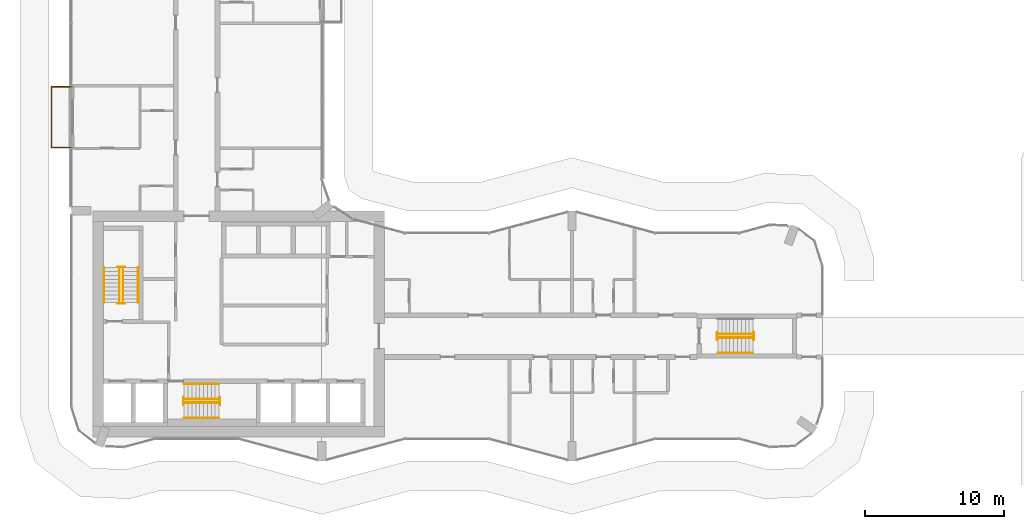
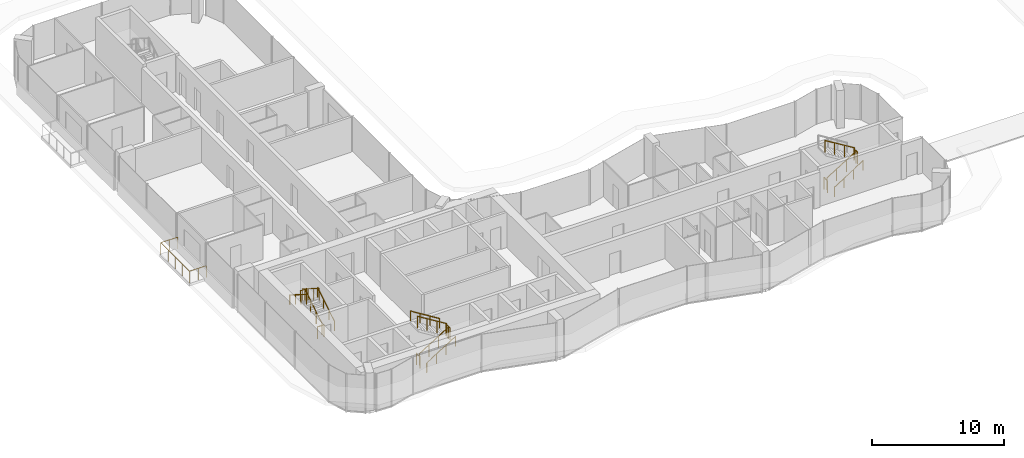
# One storey, part 21 of 24: 18 railings.
"""IFC4 building model written with IfcOpenShell, lengths in metres."""

from ifc_helpers import new_model, si_unit, direction, frame, origin, origin_2d, place, context, subcontext, project, spatial, circle, extrude, material, type_object, element, save


model = new_model("IFC4")

# Units and contexts
model_context = context("Model", 3, precision=1e-05, world=origin(), true_north=direction((0.0, 1.0)))
body_context = subcontext(model_context, "Body", "Model", "MODEL_VIEW")
ifc_project = project(units=[si_unit("LENGTHUNIT", "METRE"), si_unit("AREAUNIT", "SQUARE_METRE"), si_unit("VOLUMEUNIT", "CUBIC_METRE"), si_unit("PLANEANGLEUNIT", "RADIAN"), si_unit("MASSUNIT", "GRAM", prefix="KILO")], contexts=[model_context])

# Site, building, storey
site_placement = place(None, origin())
site = spatial("IfcSite", under=ifc_project, at=site_placement, CompositionType="ELEMENT")
building_placement = place(site_placement, origin())
building = spatial("IfcBuilding", under=site, at=building_placement, Name="Plateau Cross Towers", CompositionType="ELEMENT")
storey_placement = place(building_placement, frame((0.0, 0.0, 30.300048828125)))
storey = spatial("IfcBuildingStorey", under=building, at=storey_placement, Name="L06", CompositionType="ELEMENT", Elevation=30.300048828125)

# Railings
ifc_material_1 = material(Name="Stainless steel and toughened glass", Category="steel")
railing_type_1 = type_object("IfcRailingType", Name="Glass balustrade guard 1100", PredefinedType="GUARDRAIL", material=ifc_material_1)
railing_1_placement = place(storey_placement, frame((0.050048828125, 22.570068359375, 0.0)))
element("IfcRailing", 1, at=railing_1_placement, inside=storey, type_object=railing_type_1, Name="Guard guard1", PredefinedType="GUARDRAIL", context=body_context, shape_type="SweptSolid", body=[
    extrude(circle(Radius=0.02392578125, at=origin_2d()), frame((0.0, 0.0, 1.076171875), z_axis=(-1.0, 0.0, 0.0), x_axis=(0.0, -1.0, 0.0)), (0.0, 0.0, 1.0), 1.47998046875),
    extrude(circle(Radius=0.02392578125, at=origin_2d()), frame((-1.47998046875, 0.0, 1.076171875), z_axis=(0.0, 1.0, 0.0), x_axis=(-1.0, 0.0, 0.0)), (0.0, 0.0, 1.0), 4.35986328125),
    extrude(circle(Radius=0.02392578125, at=origin_2d()), frame((-1.47998046875, 4.35986328125, 1.076171875), z_axis=(1.0, 0.0, 0.0), x_axis=(0.0, 1.0, 0.0)), (0.0, 0.0, 1.0), 1.47998046875),
    extrude(circle(Radius=0.02099609375, at=origin_2d()), origin(), (0.0, 0.0, 1.0), 1.052001953125),
    extrude(circle(Radius=0.02099609375, at=origin_2d()), frame((-0.739990234375, 0.0, 0.0)), (0.0, 0.0, 1.0), 1.052001953125),
    extrude(circle(Radius=0.02099609375, at=origin_2d()), frame((-1.47998046875, 0.0, 0.0)), (0.0, 0.0, 1.0), 1.052001953125),
    extrude(circle(Radius=0.02099609375, at=origin_2d()), frame((-1.47998046875, 1.08984375, 0.0)), (0.0, 0.0, 1.0), 1.052001953125),
    extrude(circle(Radius=0.02099609375, at=origin_2d()), frame((-1.47998046875, 2.179931640625, 0.0)), (0.0, 0.0, 1.0), 1.052001953125),
    extrude(circle(Radius=0.02099609375, at=origin_2d()), frame((-1.47998046875, 3.27001953125, 0.0)), (0.0, 0.0, 1.0), 1.052001953125),
    extrude(circle(Radius=0.02099609375, at=origin_2d()), frame((-1.47998046875, 4.35986328125, 0.0)), (0.0, 0.0, 1.0), 1.052001953125),
    extrude(circle(Radius=0.02099609375, at=origin_2d()), frame((-0.739990234375, 4.35986328125, 0.0)), (0.0, 0.0, 1.0), 1.052001953125),
    extrude(circle(Radius=0.02099609375, at=origin_2d()), frame((0.0, 4.35986328125, 0.0)), (0.0, 0.0, 1.0), 1.052001953125),
])
railing_type_2 = type_object("IfcRailingType", Name="RL-GUARD-1100", PredefinedType="GUARDRAIL", material=ifc_material_1)
railing_2_placement = place(storey_placement, frame((3.699951171875, 11.39990234375, 0.175048828125)))
element("IfcRailing", 2, at=railing_2_placement, inside=storey, type_object=railing_type_2, Name="L06 ST-1 stair guard 1", PredefinedType="GUARDRAIL", context=body_context, shape_type="SweptSolid", body=[
    extrude(circle(Radius=0.02392578125, at=origin_2d()), frame((0.0, 0.0, 1.076171875), z_axis=(0.0, 0.848007534815, 0.529984170421), x_axis=(-1.0, 0.0, 0.0)), (0.0, 0.0, 1.0), 2.9716796875),
    extrude(circle(Radius=0.02099609375, at=origin_2d()), origin(), (0.0, 0.0, 1.0), 1.052001953125),
    extrude(circle(Radius=0.02099609375, at=origin_2d()), frame((0.0, 0.840087890625, 0.52490234375)), (0.0, 0.0, 1.0), 1.052001953125),
    extrude(circle(Radius=0.02099609375, at=origin_2d()), frame((0.0, 1.679931640625, 1.050048828125)), (0.0, 0.0, 1.0), 1.052001953125),
    extrude(circle(Radius=0.02099609375, at=origin_2d()), frame((0.0, 2.52001953125, 1.574951171875)), (0.0, 0.0, 1.0), 1.052001953125),
])
railing_3_placement = place(storey_placement, frame((3.85009765625, 13.969970703125, 1.75)))
element("IfcRailing", 3, at=railing_3_placement, inside=storey, type_object=railing_type_2, Name="L06 ST-1 stair guard 2", PredefinedType="GUARDRAIL", context=body_context, shape_type="SweptSolid", body=[
    extrude(circle(Radius=0.02392578125, at=origin_2d()), frame((0.0, 0.0, 1.076171875), z_axis=(-1.0, 0.0, 0.0), x_axis=(0.0, -1.0, 0.0)), (0.0, 0.0, 1.0), 0.550048828125),
    extrude(circle(Radius=0.02099609375, at=origin_2d()), origin(), (0.0, 0.0, 1.0), 1.052001953125),
    extrude(circle(Radius=0.02099609375, at=origin_2d()), frame((-0.550048828125, 0.0, 0.0)), (0.0, 0.0, 1.0), 1.052001953125),
])
railing_4_placement = place(storey_placement, frame((3.449951171875, 13.919921875, 1.925048828125)))
element("IfcRailing", 4, at=railing_4_placement, inside=storey, type_object=railing_type_2, Name="L06 ST-1 stair guard 3", PredefinedType="GUARDRAIL", context=body_context, shape_type="SweptSolid", body=[
    extrude(circle(Radius=0.02392578125, at=origin_2d()), frame((0.0, 0.0, 1.076171875), z_axis=(0.0, -0.852616386126, 0.522537365276), x_axis=(1.0, 0.0, 0.0)), (0.0, 0.0, 1.0), 3.01416015625),
    extrude(circle(Radius=0.02099609375, at=origin_2d()), origin(), (0.0, 0.0, 1.0), 1.052001953125),
    extrude(circle(Radius=0.02099609375, at=origin_2d()), frame((0.0, -0.856689453125, 0.52490234375)), (0.0, 0.0, 1.0), 1.052001953125),
    extrude(circle(Radius=0.02099609375, at=origin_2d()), frame((0.0, -1.713134765625, 1.050048828125)), (0.0, 0.0, 1.0), 1.052001953125),
    extrude(circle(Radius=0.02099609375, at=origin_2d()), frame((0.0, -2.56982421875, 1.574951171875)), (0.0, 0.0, 1.0), 1.052001953125),
])
railing_5_placement = place(storey_placement, frame((3.85009765625, 11.35009765625, 0.0)))
element("IfcRailing", 5, at=railing_5_placement, inside=storey, type_object=railing_type_2, Name="L06 ST-1 stair guard 4", PredefinedType="GUARDRAIL", context=body_context, shape_type="SweptSolid", body=[
    extrude(circle(Radius=0.02392578125, at=origin_2d()), frame((0.0, 0.0, 1.076171875), z_axis=(-1.0, 0.0, 0.0), x_axis=(0.0, -1.0, 0.0)), (0.0, 0.0, 1.0), 0.550048828125),
    extrude(circle(Radius=0.02099609375, at=origin_2d()), origin(), (0.0, 0.0, 1.0), 1.052001953125),
    extrude(circle(Radius=0.02099609375, at=origin_2d()), frame((-0.550048828125, 0.0, 0.0)), (0.0, 0.0, 1.0), 1.052001953125),
])
railing_6_placement = place(storey_placement, frame((8.10009765625, 4.199951171875, 0.175048828125)))
element("IfcRailing", 6, at=railing_6_placement, inside=storey, type_object=railing_type_2, Name="L06 ST-2 stair guard 1", PredefinedType="GUARDRAIL", context=body_context, shape_type="SweptSolid", body=[
    extrude(circle(Radius=0.02392578125, at=origin_2d()), frame((0.0, 0.0, 1.076171875), z_axis=(0.848007534815, 0.0, 0.529984170421), x_axis=(0.0, 1.0, 0.0)), (0.0, 0.0, 1.0), 2.9716796875),
    extrude(circle(Radius=0.02099609375, at=origin_2d()), origin(), (0.0, 0.0, 1.0), 1.052001953125),
    extrude(circle(Radius=0.02099609375, at=origin_2d()), frame((0.840087890625, 0.0, 0.52490234375)), (0.0, 0.0, 1.0), 1.052001953125),
    extrude(circle(Radius=0.02099609375, at=origin_2d()), frame((1.679931640625, 0.0, 1.050048828125)), (0.0, 0.0, 1.0), 1.052001953125),
    extrude(circle(Radius=0.02099609375, at=origin_2d()), frame((2.52001953125, 0.0, 1.574951171875)), (0.0, 0.0, 1.0), 1.052001953125),
])
railing_7_placement = place(storey_placement, frame((10.669921875, 4.050048828125, 1.75)))
element("IfcRailing", 7, at=railing_7_placement, inside=storey, type_object=railing_type_2, Name="L06 ST-2 stair guard 2", PredefinedType="GUARDRAIL", context=body_context, shape_type="SweptSolid", body=[
    extrude(circle(Radius=0.02392578125, at=origin_2d()), frame((0.0, 0.0, 1.076171875), z_axis=(0.0, 1.0, 0.0), x_axis=(-1.0, 0.0, 0.0)), (0.0, 0.0, 1.0), 0.550048828125),
    extrude(circle(Radius=0.02099609375, at=origin_2d()), origin(), (0.0, 0.0, 1.0), 1.052001953125),
    extrude(circle(Radius=0.02099609375, at=origin_2d()), frame((0.0, 0.550048828125, 0.0)), (0.0, 0.0, 1.0), 1.052001953125),
])
railing_8_placement = place(storey_placement, frame((10.6201171875, 4.449951171875, 1.925048828125)))
element("IfcRailing", 8, at=railing_8_placement, inside=storey, type_object=railing_type_2, Name="L06 ST-2 stair guard 3", PredefinedType="GUARDRAIL", context=body_context, shape_type="SweptSolid", body=[
    extrude(circle(Radius=0.02392578125, at=origin_2d()), frame((0.0, 0.0, 1.076171875), z_axis=(-0.852638500773, 0.0, 0.522501279423), x_axis=(0.0, -1.0, 0.0)), (0.0, 0.0, 1.0), 3.01416015625),
    extrude(circle(Radius=0.02099609375, at=origin_2d()), origin(), (0.0, 0.0, 1.0), 1.052001953125),
    extrude(circle(Radius=0.02099609375, at=origin_2d()), frame((-0.856689453125, 0.0, 0.52490234375)), (0.0, 0.0, 1.0), 1.052001953125),
    extrude(circle(Radius=0.02099609375, at=origin_2d()), frame((-1.71337890625, 0.0, 1.050048828125)), (0.0, 0.0, 1.0), 1.052001953125),
    extrude(circle(Radius=0.02099609375, at=origin_2d()), frame((-2.570068359375, 0.0, 1.574951171875)), (0.0, 0.0, 1.0), 1.052001953125),
])
railing_9_placement = place(storey_placement, frame((8.050048828125, 4.050048828125, 0.0)))
element("IfcRailing", 9, at=railing_9_placement, inside=storey, type_object=railing_type_2, Name="L06 ST-2 stair guard 4", PredefinedType="GUARDRAIL", context=body_context, shape_type="SweptSolid", body=[
    extrude(circle(Radius=0.02392578125, at=origin_2d()), frame((0.0, 0.0, 1.076171875), z_axis=(0.0, 1.0, 0.0), x_axis=(-1.0, 0.0, 0.0)), (0.0, 0.0, 1.0), 0.550048828125),
    extrude(circle(Radius=0.02099609375, at=origin_2d()), origin(), (0.0, 0.0, 1.0), 1.052001953125),
    extrude(circle(Radius=0.02099609375, at=origin_2d()), frame((0.0, 0.550048828125, 0.0)), (0.0, 0.0, 1.0), 1.052001953125),
])
railing_10_placement = place(storey_placement, frame((46.5, 8.875, 0.175048828125)))
element("IfcRailing", 10, at=railing_10_placement, inside=storey, type_object=railing_type_2, Name="L06 ES-E stair guard 1", PredefinedType="GUARDRAIL", context=body_context, shape_type="SweptSolid", body=[
    extrude(circle(Radius=0.02392578125, at=origin_2d()), frame((0.0, 0.0, 1.076171875), z_axis=(0.848007534815, 0.0, 0.529984170421), x_axis=(0.0, 1.0, 0.0)), (0.0, 0.0, 1.0), 2.9716796875),
    extrude(circle(Radius=0.02099609375, at=origin_2d()), origin(), (0.0, 0.0, 1.0), 1.052001953125),
    extrude(circle(Radius=0.02099609375, at=origin_2d()), frame((0.840087890625, 0.0, 0.52490234375)), (0.0, 0.0, 1.0), 1.052001953125),
    extrude(circle(Radius=0.02099609375, at=origin_2d()), frame((1.679931640625, 0.0, 1.050048828125)), (0.0, 0.0, 1.0), 1.052001953125),
    extrude(circle(Radius=0.02099609375, at=origin_2d()), frame((2.52001953125, 0.0, 1.574951171875)), (0.0, 0.0, 1.0), 1.052001953125),
])
railing_11_placement = place(storey_placement, frame((49.070068359375, 8.72509765625, 1.75)))
element("IfcRailing", 11, at=railing_11_placement, inside=storey, type_object=railing_type_2, Name="L06 ES-E stair guard 2", PredefinedType="GUARDRAIL", context=body_context, shape_type="SweptSolid", body=[
    extrude(circle(Radius=0.02392578125, at=origin_2d()), frame((0.0, 0.0, 1.076171875), z_axis=(0.0, 1.0, 0.0), x_axis=(-1.0, 0.0, 0.0)), (0.0, 0.0, 1.0), 0.5498046875),
    extrude(circle(Radius=0.02099609375, at=origin_2d()), origin(), (0.0, 0.0, 1.0), 1.052001953125),
    extrude(circle(Radius=0.02099609375, at=origin_2d()), frame((0.0, 0.5498046875, 0.0)), (0.0, 0.0, 1.0), 1.052001953125),
])
railing_12_placement = place(storey_placement, frame((49.02001953125, 9.125, 1.925048828125)))
element("IfcRailing", 12, at=railing_12_placement, inside=storey, type_object=railing_type_2, Name="L06 ES-E stair guard 3", PredefinedType="GUARDRAIL", context=body_context, shape_type="SweptSolid", body=[
    extrude(circle(Radius=0.02392578125, at=origin_2d()), frame((0.0, 0.0, 1.076171875), z_axis=(-0.852638500773, 0.0, 0.522501279423), x_axis=(0.0, -1.0, 0.0)), (0.0, 0.0, 1.0), 3.01416015625),
    extrude(circle(Radius=0.02099609375, at=origin_2d()), origin(), (0.0, 0.0, 1.0), 1.052001953125),
    extrude(circle(Radius=0.02099609375, at=origin_2d()), frame((-0.856689453125, 0.0, 0.52490234375)), (0.0, 0.0, 1.0), 1.052001953125),
    extrude(circle(Radius=0.02099609375, at=origin_2d()), frame((-1.71337890625, 0.0, 1.050048828125)), (0.0, 0.0, 1.0), 1.052001953125),
    extrude(circle(Radius=0.02099609375, at=origin_2d()), frame((-2.570068359375, 0.0, 1.574951171875)), (0.0, 0.0, 1.0), 1.052001953125),
])
railing_13_placement = place(storey_placement, frame((46.449951171875, 8.72509765625, 0.0)))
element("IfcRailing", 13, at=railing_13_placement, inside=storey, type_object=railing_type_2, Name="L06 ES-E stair guard 4", PredefinedType="GUARDRAIL", context=body_context, shape_type="SweptSolid", body=[
    extrude(circle(Radius=0.02392578125, at=origin_2d()), frame((0.0, 0.0, 1.076171875), z_axis=(0.0, 1.0, 0.0), x_axis=(-1.0, 0.0, 0.0)), (0.0, 0.0, 1.0), 0.5498046875),
    extrude(circle(Radius=0.02099609375, at=origin_2d()), origin(), (0.0, 0.0, 1.0), 1.052001953125),
    extrude(circle(Radius=0.02099609375, at=origin_2d()), frame((0.0, 0.5498046875, 0.0)), (0.0, 0.0, 1.0), 1.052001953125),
])
ifc_material_2 = material(Name="Black anodised aluminium", Category="aluminium")
railing_type_3 = type_object("IfcRailingType", Name="RL-HANDRAIL-900", PredefinedType="HANDRAIL", material=ifc_material_2)
railing_14_placement = place(storey_placement, frame((4.800048828125, 11.39990234375, 0.175048828125)))
element("IfcRailing", 14, at=railing_14_placement, inside=storey, type_object=railing_type_3, Name="L06 ST-1 stair handrail 1", PredefinedType="HANDRAIL", context=body_context, shape_type="SweptSolid", body=[
    extrude(circle(Radius=0.02392578125, at=origin_2d()), frame((0.0, 0.0, 0.8759765625), z_axis=(0.0, 0.848007534815, 0.529984170421), x_axis=(-1.0, 0.0, 0.0)), (0.0, 0.0, 1.0), 2.9716796875),
    extrude(circle(Radius=0.02099609375, at=origin_2d()), origin(), (0.0, 0.0, 1.0), 0.851806640625),
    extrude(circle(Radius=0.02099609375, at=origin_2d()), frame((0.0, 0.840087890625, 0.52490234375)), (0.0, 0.0, 1.0), 0.851806640625),
    extrude(circle(Radius=0.02099609375, at=origin_2d()), frame((0.0, 1.679931640625, 1.050048828125)), (0.0, 0.0, 1.0), 0.851806640625),
    extrude(circle(Radius=0.02099609375, at=origin_2d()), frame((0.0, 2.52001953125, 1.574951171875)), (0.0, 0.0, 1.0), 0.851806640625),
])
railing_15_placement = place(storey_placement, frame((2.35009765625, 13.919921875, 1.925048828125)))
element("IfcRailing", 15, at=railing_15_placement, inside=storey, type_object=railing_type_3, Name="L06 ST-1 stair handrail 2", PredefinedType="HANDRAIL", context=body_context, shape_type="SweptSolid", body=[
    extrude(circle(Radius=0.02392578125, at=origin_2d()), frame((0.0, 0.0, 0.8759765625), z_axis=(0.0, -0.848007534815, 0.529984170421), x_axis=(1.0, 0.0, 0.0)), (0.0, 0.0, 1.0), 2.9716796875),
    extrude(circle(Radius=0.02099609375, at=origin_2d()), origin(), (0.0, 0.0, 1.0), 0.851806640625),
    extrude(circle(Radius=0.02099609375, at=origin_2d()), frame((0.0, -0.840087890625, 0.52490234375)), (0.0, 0.0, 1.0), 0.851806640625),
    extrude(circle(Radius=0.02099609375, at=origin_2d()), frame((0.0, -1.679931640625, 1.050048828125)), (0.0, 0.0, 1.0), 0.851806640625),
    extrude(circle(Radius=0.02099609375, at=origin_2d()), frame((0.0, -2.52001953125, 1.574951171875)), (0.0, 0.0, 1.0), 0.851806640625),
])
railing_16_placement = place(storey_placement, frame((8.10009765625, 3.10009765625, 0.175048828125)))
element("IfcRailing", 16, at=railing_16_placement, inside=storey, type_object=railing_type_3, Name="L06 ST-2 stair handrail 1", PredefinedType="HANDRAIL", context=body_context, shape_type="SweptSolid", body=[
    extrude(circle(Radius=0.02392578125, at=origin_2d()), frame((0.0, 0.0, 0.8759765625), z_axis=(0.848007534815, 0.0, 0.529984170421), x_axis=(0.0, 1.0, 0.0)), (0.0, 0.0, 1.0), 2.9716796875),
    extrude(circle(Radius=0.02099609375, at=origin_2d()), origin(), (0.0, 0.0, 1.0), 0.851806640625),
    extrude(circle(Radius=0.02099609375, at=origin_2d()), frame((0.840087890625, 0.0, 0.52490234375)), (0.0, 0.0, 1.0), 0.851806640625),
    extrude(circle(Radius=0.02099609375, at=origin_2d()), frame((1.679931640625, 0.0, 1.050048828125)), (0.0, 0.0, 1.0), 0.851806640625),
    extrude(circle(Radius=0.02099609375, at=origin_2d()), frame((2.52001953125, 0.0, 1.574951171875)), (0.0, 0.0, 1.0), 0.851806640625),
])
railing_17_placement = place(storey_placement, frame((10.6201171875, 5.550048828125, 1.925048828125)))
element("IfcRailing", 17, at=railing_17_placement, inside=storey, type_object=railing_type_3, Name="L06 ST-2 stair handrail 2", PredefinedType="HANDRAIL", context=body_context, shape_type="SweptSolid", body=[
    extrude(circle(Radius=0.02392578125, at=origin_2d()), frame((0.0, 0.0, 0.8759765625), z_axis=(-0.848007534815, 0.0, 0.529984170421), x_axis=(0.0, -1.0, 0.0)), (0.0, 0.0, 1.0), 2.9716796875),
    extrude(circle(Radius=0.02099609375, at=origin_2d()), origin(), (0.0, 0.0, 1.0), 0.851806640625),
    extrude(circle(Radius=0.02099609375, at=origin_2d()), frame((-0.840087890625, 0.0, 0.52490234375)), (0.0, 0.0, 1.0), 0.851806640625),
    extrude(circle(Radius=0.02099609375, at=origin_2d()), frame((-1.679931640625, 0.0, 1.050048828125)), (0.0, 0.0, 1.0), 0.851806640625),
    extrude(circle(Radius=0.02099609375, at=origin_2d()), frame((-2.52001953125, 0.0, 1.574951171875)), (0.0, 0.0, 1.0), 0.851806640625),
])
railing_18_placement = place(storey_placement, frame((46.5, 7.77490234375, 0.175048828125)))
element("IfcRailing", 18, at=railing_18_placement, inside=storey, type_object=railing_type_3, Name="L06 ES-E stair handrail 1", PredefinedType="HANDRAIL", context=body_context, shape_type="SweptSolid", body=[
    extrude(circle(Radius=0.02392578125, at=origin_2d()), frame((0.0, 0.0, 0.8759765625), z_axis=(0.848007534815, 0.0, 0.529984170421), x_axis=(0.0, 1.0, 0.0)), (0.0, 0.0, 1.0), 2.9716796875),
    extrude(circle(Radius=0.02099609375, at=origin_2d()), origin(), (0.0, 0.0, 1.0), 0.851806640625),
    extrude(circle(Radius=0.02099609375, at=origin_2d()), frame((0.840087890625, 0.0, 0.52490234375)), (0.0, 0.0, 1.0), 0.851806640625),
    extrude(circle(Radius=0.02099609375, at=origin_2d()), frame((1.679931640625, 0.0, 1.050048828125)), (0.0, 0.0, 1.0), 0.851806640625),
    extrude(circle(Radius=0.02099609375, at=origin_2d()), frame((2.52001953125, 0.0, 1.574951171875)), (0.0, 0.0, 1.0), 0.851806640625),
])

save(model, "model.ifc")
